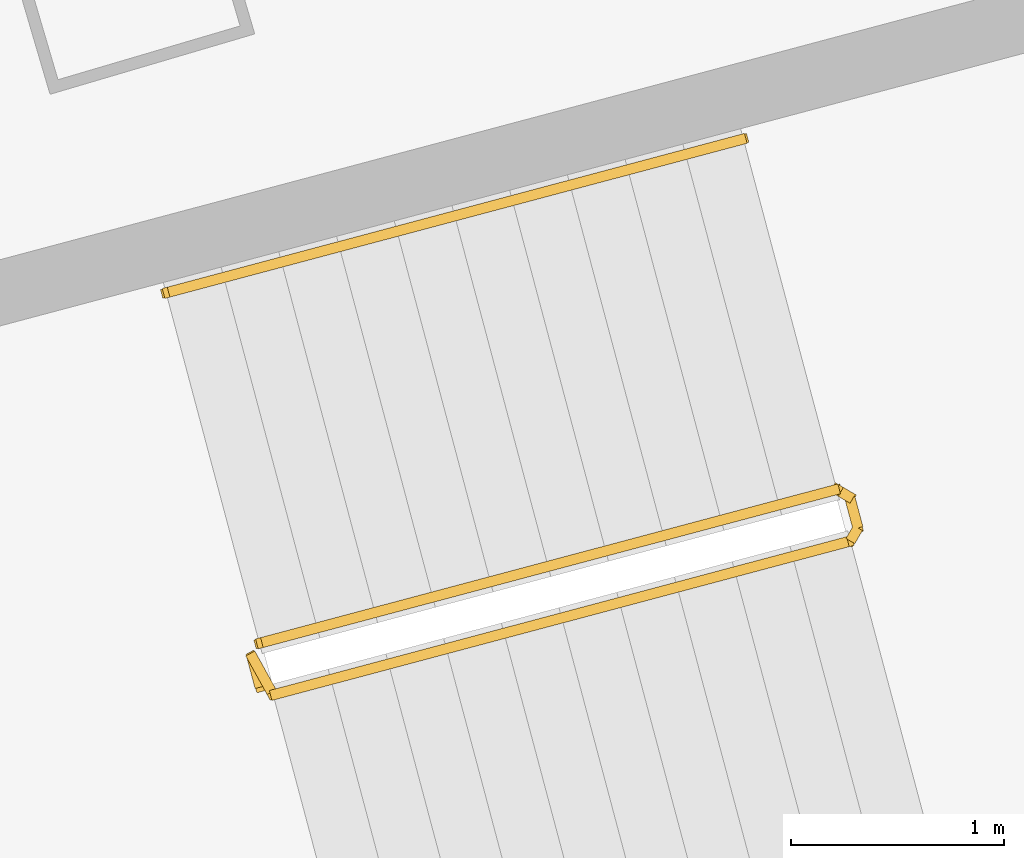
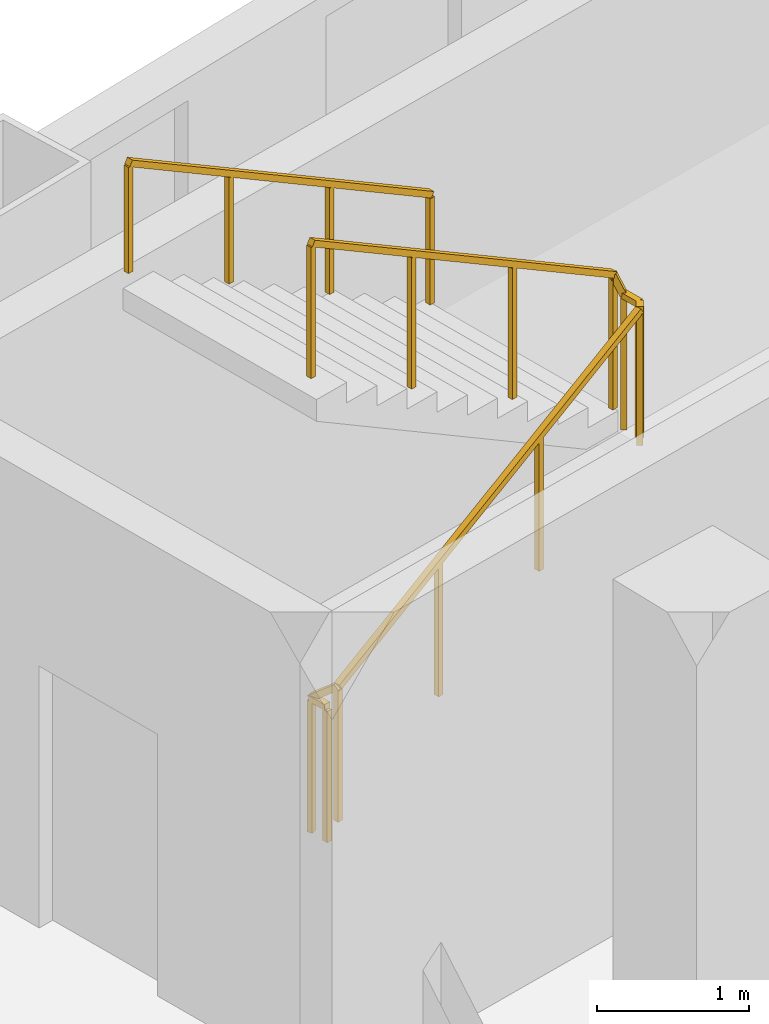
# One storey, part 20 of 20: 2 railings.
"""IFC4 building model written with IfcOpenShell, lengths in metres."""

import ifcopenshell
import ifcopenshell.guid

model = None  # the IFC model being written
_history = None  # IfcOwnerHistory: only IFC2X3 demands one
_inside = {}  # id of a spatial element -> (the spatial element, [elements in it])
_under = {}  # id of a project, library or spatial element -> (it, [spatial elements below it])
_declared = {}  # id of a project -> (the project, [libraries it declares])
_typed = {}  # id of a type object -> (the type object, [elements of that type])
_made_of = {}  # id of a material, layer set ... -> (it, [elements and type objects made of it])


def new_model(schema):
    """Start an empty IFC model of exactly this schema.

    Asked for "IFC4X3", IfcOpenShell would pick the latest addendum, in which some entities
    have other attributes; the version numbers below select the first issue.
    IFC2X3 requires an IfcOwnerHistory on every rooted entity: one is made here for all.
    """
    global model, _history
    if schema == "IFC4X3":
        model = ifcopenshell.file(schema_version=(4, 3, 0, 0))
    else:
        model = ifcopenshell.file(schema=schema)
    _inside.clear()
    _under.clear()
    _declared.clear()
    _typed.clear()
    _made_of.clear()
    _history = None
    if model.schema == "IFC2X3":
        org = make("IfcOrganization", Name="unknown")
        user = make(
            "IfcPersonAndOrganization",
            ThePerson=make("IfcPerson", FamilyName="unknown"),
            TheOrganization=org,
        )
        app = make(
            "IfcApplication",
            ApplicationDeveloper=org,
            Version="unknown",
            ApplicationFullName="unknown",
            ApplicationIdentifier="unknown",
        )
        _history = make(
            "IfcOwnerHistory",
            OwningUser=user,
            OwningApplication=app,
            ChangeAction="ADDED",
            CreationDate=0,
        )
    return model


def make(cls, **values):
    """One entity of the class cls with the attributes given. An attribute that is None is left unset."""
    return model.create_entity(
        cls, **{name: value for name, value in values.items() if value is not None}
    )


def rooted(cls, **values):
    """An entity with a GlobalId (a new one), such as an element, a storey or a relation."""
    return make(cls, GlobalId=ifcopenshell.guid.new(), OwnerHistory=_history, **values)


def si_unit(unit_type, name, prefix=None):
    """IfcSIUnit, for example si_unit("LENGTHUNIT", "METRE", prefix="MILLI")."""
    return make("IfcSIUnit", UnitType=unit_type, Prefix=prefix, Name=name)


def assignment(units):
    """IfcUnitAssignment: the units of a project."""
    return None if units is None else make("IfcUnitAssignment", Units=units)


def point(xyz):
    """IfcCartesianPoint."""
    return None if xyz is None else make("IfcCartesianPoint", Coordinates=xyz)


def direction(xyz):
    """IfcDirection."""
    return None if xyz is None else make("IfcDirection", DirectionRatios=xyz)


def frame(location, z_axis=None, x_axis=None):
    """IfcAxis2Placement3D, a coordinate frame: its origin and axes. An axis left out is left unset."""
    return make(
        "IfcAxis2Placement3D",
        Location=point(location),
        Axis=direction(z_axis),
        RefDirection=direction(x_axis),
    )


def frame_2d(location, x_axis=None):
    """IfcAxis2Placement2D, a coordinate frame in the plane: its origin and x axis."""
    return make(
        "IfcAxis2Placement2D", Location=point(location), RefDirection=direction(x_axis)
    )


def origin():
    """The frame at (0, 0, 0) with its axes left unset."""
    return frame((0.0, 0.0, 0.0))


def origin_2d():
    """The frame at (0, 0) in the plane with its x axis left unset."""
    return frame_2d((0.0, 0.0))


def place(relative_to, where):
    """IfcLocalPlacement: puts the frame where relative to a parent placement (None: the world)."""
    return make(
        "IfcLocalPlacement", PlacementRelTo=relative_to, RelativePlacement=where
    )


def context(
    kind, dimensions, precision=None, world=None, true_north=None, identifier=None
):
    """IfcGeometricRepresentationContext, for example the 3D "Model" context."""
    return make(
        "IfcGeometricRepresentationContext",
        ContextIdentifier=identifier,
        ContextType=kind,
        CoordinateSpaceDimension=dimensions,
        Precision=precision,
        WorldCoordinateSystem=world,
        TrueNorth=true_north,
    )


def subcontext(parent, identifier, kind, view, scale=None):
    """IfcGeometricRepresentationSubContext, for example "Body" below "Model"."""
    return make(
        "IfcGeometricRepresentationSubContext",
        ContextIdentifier=identifier,
        ContextType=kind,
        ParentContext=parent,
        TargetScale=scale,
        TargetView=view,
    )


def project(units=None, contexts=None):
    """IfcProject with its units and contexts."""
    return rooted(
        "IfcProject",
        Name="project",
        RepresentationContexts=contexts,
        UnitsInContext=assignment(units),
    )


def spatial(cls, under=None, at=None, **own):
    """A site, building, storey or space (cls), placed at a placement, below another one or the project."""
    s = rooted(cls, ObjectPlacement=at, **own)
    if under is not None:
        _under.setdefault(under.id(), (under, []))[1].append(s)
    return s


def profile(cls, at=None, kind="AREA", **sizes):
    """A parametric profile (cls). Its sizes go by their IFC names, for example OverallWidth=200.0."""
    return make(cls, ProfileType=kind, Position=at, **sizes)


def rectangle(**sizes):
    """IfcRectangleProfileDef."""
    return profile("IfcRectangleProfileDef", **sizes)


def extrude(swept, where, along, depth):
    """IfcExtrudedAreaSolid: the profile swept, set in the frame where, extruded along a direction by depth."""
    return make(
        "IfcExtrudedAreaSolid",
        SweptArea=swept,
        Position=where,
        ExtrudedDirection=direction(along),
        Depth=depth,
    )


def shape(context_of_items, identifier, shape_type, items):
    """IfcShapeRepresentation: the items that make up one representation, for example the "Body"."""
    return make(
        "IfcShapeRepresentation",
        ContextOfItems=context_of_items,
        RepresentationIdentifier=identifier,
        RepresentationType=shape_type,
        Items=items,
    )


def material(Name=None, Category=None):
    """IfcMaterial."""
    return make("IfcMaterial", Name=Name, Category=Category)


def made_of(thing, what):
    """Note that an element or type object is made of a material, layer set ...; save() writes the relation."""
    if what is not None:
        _made_of.setdefault(what.id(), (what, []))[1].append(thing)
    return thing


def type_object(cls, material=None, **own):
    """A type object (cls), such as IfcWallType, which elements share."""
    return made_of(rooted(cls, **own), material)


def element(
    cls,
    number,
    at=None,
    inside=None,
    cuts=None,
    type_object=None,
    material=None,
    context=None,
    identifier="Body",
    shape_type=None,
    held_by="IfcProductDefinitionShape",
    body=None,
    shapes=None,
    **own,
):
    """One element of the class cls, such as IfcWall. Its Tag is "e" and its number.

    at: its placement. inside: the storey or other place that contains it. cuts: it is an
    opening in that element (IfcRelVoidsElement). A single representation is given by context,
    identifier, shape_type and body (its items); several are given by shapes. held_by: the class
    of the entity that holds the representations. save() writes the other relations.
    """
    e = rooted(cls, Tag="e%d" % number, ObjectPlacement=at, **own)
    if body is not None:
        shapes = [shape(context, identifier, shape_type, body)]
    if shapes is not None:
        e.Representation = make(held_by, Representations=shapes)
    if inside is not None:
        _inside.setdefault(inside.id(), (inside, []))[1].append(e)
    if cuts is not None:
        rooted(
            "IfcRelVoidsElement", RelatingBuildingElement=cuts, RelatedOpeningElement=e
        )
    if type_object is not None:
        _typed.setdefault(type_object.id(), (type_object, []))[1].append(e)
    return made_of(e, material)


def aggregate(whole, parts):
    """IfcRelAggregates: a whole, such as a stair, and the parts it consists of."""
    return rooted("IfcRelAggregates", RelatingObject=whole, RelatedObjects=parts)


def save(model, path):
    """Write the relations noted so far, then the file.

    IfcRelAggregates (storeys below a building ...), IfcRelContainedInSpatialStructure (elements
    in a storey), IfcRelDefinesByType, IfcRelAssociatesMaterial and IfcRelDeclares: one each for
    every whole, place, type object, material and project.
    """
    for whole, parts in _under.values():
        aggregate(whole, parts)
    for where, things in _inside.values():
        rooted(
            "IfcRelContainedInSpatialStructure",
            RelatedElements=things,
            RelatingStructure=where,
        )
    for kind, things in _typed.values():
        rooted("IfcRelDefinesByType", RelatedObjects=things, RelatingType=kind)
    for what, things in _made_of.values():
        rooted("IfcRelAssociatesMaterial", RelatedObjects=things, RelatingMaterial=what)
    for by, libraries in _declared.values():
        rooted("IfcRelDeclares", RelatingContext=by, RelatedDefinitions=libraries)
    model.write(path)


model = new_model("IFC4")

# Units and contexts
model_context = context("Model", 3, precision=1e-05, world=origin(), true_north=direction((0.0, 1.0)))
body_context = subcontext(model_context, "Body", "Model", "MODEL_VIEW")
ifc_project = project(units=[si_unit("LENGTHUNIT", "METRE"), si_unit("AREAUNIT", "SQUARE_METRE"), si_unit("VOLUMEUNIT", "CUBIC_METRE"), si_unit("PLANEANGLEUNIT", "RADIAN"), si_unit("MASSUNIT", "GRAM", prefix="KILO")], contexts=[model_context])

# Site, building, storey
site_placement = place(None, origin())
site = spatial("IfcSite", under=ifc_project, at=site_placement, CompositionType="ELEMENT")
building_placement = place(site_placement, origin())
building = spatial("IfcBuilding", under=site, at=building_placement, Name="Alderwake Tower", CompositionType="ELEMENT")
storey_placement = place(building_placement, frame((0.0, 0.0, 167.60009765625)))
storey = spatial("IfcBuildingStorey", under=building, at=storey_placement, Name="L41", CompositionType="ELEMENT", Elevation=167.60009765625)

# Railings
ifc_material_1 = material(Name="Stainless steel guard", Category="steel")
railing_type_1 = type_object("IfcRailingType", Name="Stair guard 1100", PredefinedType="GUARDRAIL", material=ifc_material_1)
railing_1_placement = place(storey_placement, frame((39.23291015625, 92.6806640625, 0.0)))
element("IfcRailing", 1, at=railing_1_placement, inside=storey, type_object=railing_type_1, Name="L41 ST-A stair guard 1", PredefinedType="GUARDRAIL", context=body_context, shape_type="SweptSolid", body=[
    extrude(rectangle(XDim=0.048095703125, YDim=0.048095703125, at=origin_2d()), frame((0.0, 0.0, 1.076171875), z_axis=(-0.257055032184, 0.966396766566, 0.0), x_axis=(-0.966396766566, -0.257055032184, 0.0)), (0.0, 0.0, 1.0), 0.150146484375),
    extrude(rectangle(XDim=0.048095703125, YDim=0.048095703125, at=origin_2d()), frame((-0.03857421875, 0.14501953125, 1.076171875), z_axis=(0.379370725808, -0.685464465458, 0.621463047167), x_axis=(0.874937996095, 0.484234966715, 0.0)), (0.0, 0.0, 1.0), 0.26318359375),
    extrude(rectangle(XDim=0.048095703125, YDim=0.048095703125, at=origin_2d()), frame((0.061279296875, -0.035400390625, 1.23974609375), z_axis=(0.834290631165, 0.222236594766, 0.504549342183), x_axis=(-0.257402139082, 0.966304371715, 0.0)), (0.0, 0.0, 1.0), 3.242919921875),
    extrude(rectangle(XDim=0.048095703125, YDim=0.048095703125, at=origin_2d()), frame((2.766845703125, 0.685302734375, 2.8759765625), z_axis=(0.500220121494, 0.865898279276, 0.0), x_axis=(-0.865898279276, 0.500220121494, 0.0)), (0.0, 0.0, 1.0), 0.07080078125),
    extrude(rectangle(XDim=0.048095703125, YDim=0.048095703125, at=origin_2d()), frame((2.80224609375, 0.74658203125, 2.8759765625), z_axis=(-0.257459803502, 0.966289009345, 0.0), x_axis=(-0.966289009345, -0.257459803502, 0.0)), (0.0, 0.0, 1.0), 0.14990234375),
    extrude(rectangle(XDim=0.048095703125, YDim=0.048095703125, at=origin_2d()), frame((2.763671875, 0.891357421875, 2.8759765625), z_axis=(-0.34209458732, 0.199783238995, 0.918181872367), x_axis=(-0.504300490226, -0.863528236688, 0.0)), (0.0, 0.0, 1.0), 0.178466796875),
    extrude(rectangle(XDim=0.048095703125, YDim=0.048095703125, at=origin_2d()), frame((2.70263671875, 0.927001953125, 3.03955078125), z_axis=(-0.834313512087, -0.222222637163, 0.504517653885), x_axis=(0.257380452725, -0.966310148221, 0.0)), (0.0, 0.0, 1.0), 3.2431640625),
    extrude(rectangle(XDim=0.0419921875, YDim=0.0419921875, at=origin_2d()), frame((0.0, 0.0, 0.0), z_axis=(0.0, 0.0, 1.0), x_axis=(-0.257055032184, 0.966396766566, 0.0)), (0.0, 0.0, 1.0), 1.052001953125),
    extrude(rectangle(XDim=0.0419921875, YDim=0.0419921875, at=origin_2d()), frame((-0.03857421875, 0.14501953125, 0.0), z_axis=(0.0, 0.0, 1.0), x_axis=(0.484234966715, -0.874937996095, 0.0)), (0.0, 0.0, 1.0), 1.052001953125),
    extrude(rectangle(XDim=0.0419921875, YDim=0.0419921875, at=origin_2d()), frame((0.061279296875, -0.035400390625, 0.16357421875), z_axis=(0.0, 0.0, 1.0), x_axis=(0.966304371715, 0.257402139082, 0.0)), (0.0, 0.0, 1.0), 1.052001953125),
    extrude(rectangle(XDim=0.0419921875, YDim=0.0419921875, at=origin_2d()), frame((0.963134765625, 0.204833984375, 0.708984375), z_axis=(0.0, 0.0, 1.0), x_axis=(0.966304371715, 0.257402139082, 0.0)), (0.0, 0.0, 1.0), 1.052001953125),
    extrude(rectangle(XDim=0.0419921875, YDim=0.0419921875, at=origin_2d()), frame((1.864990234375, 0.445068359375, 1.25439453125), z_axis=(0.0, 0.0, 1.0), x_axis=(0.966304371715, 0.257402139082, 0.0)), (0.0, 0.0, 1.0), 1.052001953125),
    extrude(rectangle(XDim=0.0419921875, YDim=0.0419921875, at=origin_2d()), frame((2.766845703125, 0.685302734375, 1.7998046875), z_axis=(0.0, 0.0, 1.0), x_axis=(0.500220121494, 0.865898279276, 0.0)), (0.0, 0.0, 1.0), 1.052001953125),
    extrude(rectangle(XDim=0.0419921875, YDim=0.0419921875, at=origin_2d()), frame((2.80224609375, 0.74658203125, 1.7998046875), z_axis=(0.0, 0.0, 1.0), x_axis=(-0.257459803502, 0.966289009345, 0.0)), (0.0, 0.0, 1.0), 1.052001953125),
    extrude(rectangle(XDim=0.0419921875, YDim=0.0419921875, at=origin_2d()), frame((2.763671875, 0.891357421875, 1.7998046875), z_axis=(0.0, 0.0, 1.0), x_axis=(-0.863528236688, 0.504300490226, 0.0)), (0.0, 0.0, 1.0), 1.052001953125),
    extrude(rectangle(XDim=0.0419921875, YDim=0.0419921875, at=origin_2d()), frame((2.70263671875, 0.927001953125, 1.963623046875), z_axis=(0.0, 0.0, 1.0), x_axis=(-0.966310148221, -0.257380452725, 0.0)), (0.0, 0.0, 1.0), 1.052001953125),
    extrude(rectangle(XDim=0.0419921875, YDim=0.0419921875, at=origin_2d()), frame((1.80078125, 0.686767578125, 2.509033203125), z_axis=(0.0, 0.0, 1.0), x_axis=(-0.966310148221, -0.257380452725, 0.0)), (0.0, 0.0, 1.0), 1.052001953125),
    extrude(rectangle(XDim=0.0419921875, YDim=0.0419921875, at=origin_2d()), frame((0.898681640625, 0.446533203125, 3.054443359375), z_axis=(0.0, 0.0, 1.0), x_axis=(-0.966310148221, -0.257380452725, 0.0)), (0.0, 0.0, 1.0), 1.052001953125),
    extrude(rectangle(XDim=0.0419921875, YDim=0.0419921875, at=origin_2d()), frame((-0.003173828125, 0.206298828125, 3.599853515625), z_axis=(0.0, 0.0, 1.0), x_axis=(-0.966310148221, -0.257380452725, 0.0)), (0.0, 0.0, 1.0), 1.052001953125),
])
ifc_material_2 = material(Name="Stainless steel handrail", Category="steel")
railing_type_2 = type_object("IfcRailingType", Name="Stair handrail 900", PredefinedType="HANDRAIL", material=ifc_material_2)
railing_2_placement = place(storey_placement, frame((41.497802734375, 95.250244140625, 1.963623046875)))
element("IfcRailing", 2, at=railing_2_placement, inside=storey, type_object=railing_type_2, Name="L41 ST-A stair handrail 2", PredefinedType="HANDRAIL", context=body_context, shape_type="SweptSolid", body=[
    extrude(rectangle(XDim=0.048095703125, YDim=0.048095703125, at=origin_2d()), frame((0.0, 0.0, 0.8759765625), z_axis=(-0.834290631165, -0.222236594766, 0.504549342183), x_axis=(0.257402139082, -0.966304371715, 0.0)), (0.0, 0.0, 1.0), 3.242919921875),
    extrude(rectangle(XDim=0.0419921875, YDim=0.0419921875, at=origin_2d()), frame((0.0, 0.0, 0.0), z_axis=(0.0, 0.0, 1.0), x_axis=(-0.966304371715, -0.257402139082, 0.0)), (0.0, 0.0, 1.0), 0.851806640625),
    extrude(rectangle(XDim=0.0419921875, YDim=0.0419921875, at=origin_2d()), frame((-0.90185546875, -0.240234375, 0.54541015625), z_axis=(0.0, 0.0, 1.0), x_axis=(-0.966304371715, -0.257402139082, 0.0)), (0.0, 0.0, 1.0), 0.851806640625),
    extrude(rectangle(XDim=0.0419921875, YDim=0.0419921875, at=origin_2d()), frame((-1.8037109375, -0.48046875, 1.0908203125), z_axis=(0.0, 0.0, 1.0), x_axis=(-0.966304371715, -0.257402139082, 0.0)), (0.0, 0.0, 1.0), 0.851806640625),
    extrude(rectangle(XDim=0.0419921875, YDim=0.0419921875, at=origin_2d()), frame((-2.70556640625, -0.720703125, 1.63623046875), z_axis=(0.0, 0.0, 1.0), x_axis=(-0.966304371715, -0.257402139082, 0.0)), (0.0, 0.0, 1.0), 0.851806640625),
])

save(model, "model.ifc")
